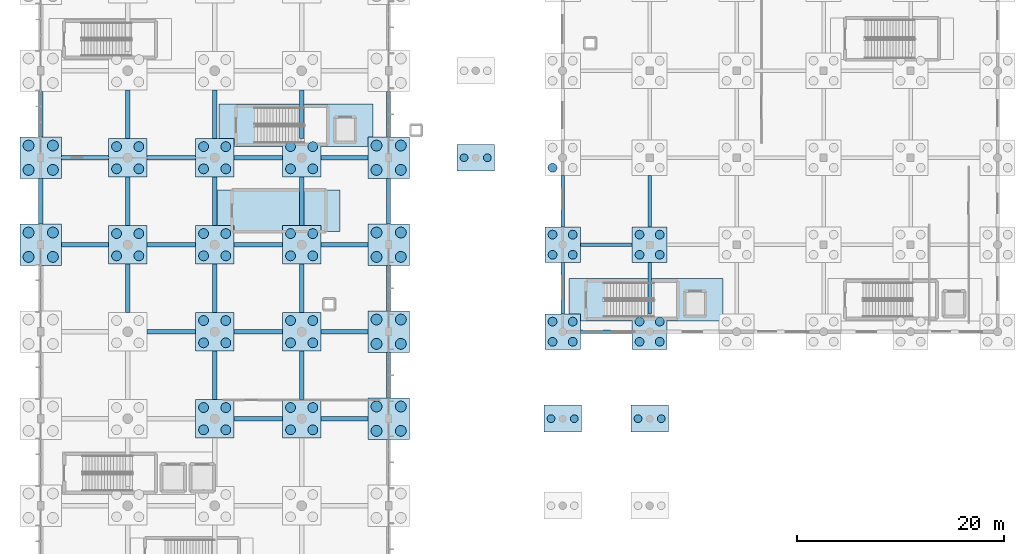
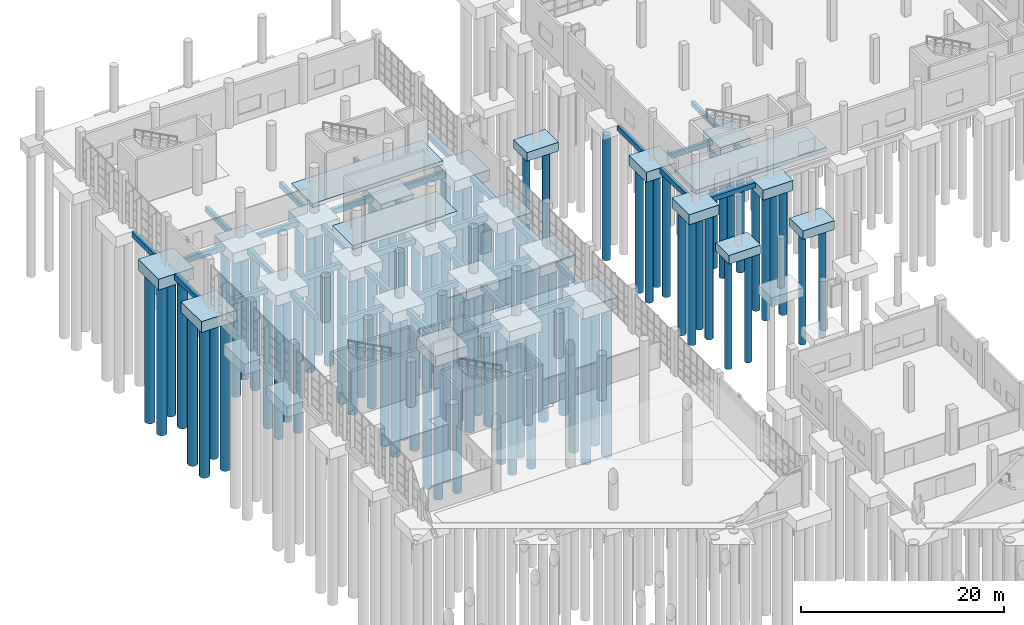
# One storey, part 5 of 83: 87 piles, 62 footings.
"""IFC4 building model written with IfcOpenShell, lengths in metres."""

from ifc_helpers import new_model, si_unit, direction, frame, origin, origin_2d, place, context, subcontext, project, spatial, rectangle, circle, extrude, material, material_profile, profile_set, type_object, element, save


model = new_model("IFC4")

# Units and contexts
model_context = context("Model", 3, precision=1e-05, world=origin(), true_north=direction((0.0, 1.0)))
body_context = subcontext(model_context, "Body", "Model", "MODEL_VIEW")
ifc_project = project(units=[si_unit("LENGTHUNIT", "METRE"), si_unit("AREAUNIT", "SQUARE_METRE"), si_unit("VOLUMEUNIT", "CUBIC_METRE"), si_unit("PLANEANGLEUNIT", "RADIAN"), si_unit("MASSUNIT", "GRAM", prefix="KILO"), si_unit("THERMODYNAMICTEMPERATUREUNIT", "KELVIN"), si_unit("POWERUNIT", "WATT")], contexts=[model_context])

# Site, building, storey
site_placement = place(None, origin())
site = spatial("IfcSite", under=ifc_project, at=site_placement, CompositionType="ELEMENT")
building_placement = place(site_placement, origin())
building = spatial("IfcBuilding", under=site, at=building_placement, Name="Mavoryth Pier Ferry Terminal", CompositionType="ELEMENT")
storey_placement = place(building_placement, origin())
storey = spatial("IfcBuildingStorey", under=building, at=storey_placement, Name="L00", CompositionType="ELEMENT", Elevation=0.0)

# Footings
ifc_material = material(Name="Concrete C35/45", Category="concrete")
footing_type_1 = type_object("IfcFootingType", Name="Cap-4P-3400x3400x1200", PredefinedType="PILE_CAP", material=ifc_material)
for number, where, z_axis, x_axis, name in (
    (1, (50.39990234375, 72.39990234375, -1.66015625), (0.0, 0.0, 1.0), (1.0, 0.0, 0.0), "Foundation FD-V2-1-1"),
    (2, (50.39990234375, 80.800048828125, -1.66015625), (0.0, 0.0, 1.0), (1.0, 0.0, 0.0), "Foundation FD-V2-1-2"),
    (3, (58.800048828125, 72.39990234375, -1.66015625), (0.0, 0.0, 1.0), (1.0, 0.0, 0.0), "Foundation FD-V2-2-1"),
    (4, (58.800048828125, 80.800048828125, -1.66015625), (0.0, 0.0, 1.0), (1.0, 0.0, 0.0), "Foundation FD-V2-2-2"),
):
    element("IfcFooting", number, at=place(storey_placement, frame(where, z_axis=z_axis, x_axis=x_axis)), inside=storey, type_object=footing_type_1, Name=name, PredefinedType="PILE_CAP", context=body_context, shape_type="SweptSolid", body=[
        extrude(rectangle(XDim=3.39990234375, YDim=3.39990234375, at=origin_2d()), origin(), (0.0, 0.0, 1.0), 1.199951171875),
    ])
footing_type_2 = type_object("IfcFootingType", Name="Cap-4P-3700x3700x1250", PredefinedType="PILE_CAP", material=ifc_material)
for number, where, z_axis, x_axis, name in (
    (5, (8.39990234375, 80.800048828125, -1.7099609375), (0.0, 0.0, 1.0), (1.0, 0.0, 0.0), "Foundation FD-V1-2-8"),
    (6, (8.39990234375, 89.199951171875, -1.7099609375), (0.0, 0.0, 1.0), (1.0, 0.0, 0.0), "Foundation FD-V1-2-9"),
    (7, (16.800048828125, 64.0, -1.7099609375), (0.0, 0.0, 1.0), (1.0, 0.0, 0.0), "Foundation FD-V1-3-6"),
    (8, (16.800048828125, 72.39990234375, -1.7099609375), (0.0, 0.0, 1.0), (1.0, 0.0, 0.0), "Foundation FD-V1-3-7"),
    (9, (16.800048828125, 80.800048828125, -1.7099609375), (0.0, 0.0, 1.0), (1.0, 0.0, 0.0), "Foundation FD-V1-3-8"),
    (10, (16.800048828125, 89.199951171875, -1.7099609375), (0.0, 0.0, 1.0), (1.0, 0.0, 0.0), "Foundation FD-V1-3-9"),
    (11, (25.199951171875, 64.0, -1.7099609375), (0.0, 0.0, 1.0), (1.0, 0.0, 0.0), "Foundation FD-V1-4-6"),
    (12, (25.199951171875, 72.39990234375, -1.7099609375), (0.0, 0.0, 1.0), (1.0, 0.0, 0.0), "Foundation FD-V1-4-7"),
    (13, (25.199951171875, 80.800048828125, -1.7099609375), (0.0, 0.0, 1.0), (1.0, 0.0, 0.0), "Foundation FD-V1-4-8"),
    (14, (25.199951171875, 89.199951171875, -1.7099609375), (0.0, 0.0, 1.0), (1.0, 0.0, 0.0), "Foundation FD-V1-4-9"),
):
    element("IfcFooting", number, at=place(storey_placement, frame(where, z_axis=z_axis, x_axis=x_axis)), inside=storey, type_object=footing_type_2, Name=name, PredefinedType="PILE_CAP", context=body_context, shape_type="SweptSolid", body=[
        extrude(rectangle(XDim=3.699951171875, YDim=3.699951171875, at=origin_2d()), origin(), (0.0, 0.0, 1.0), 1.25),
    ])
footing_type_3 = type_object("IfcFootingType", Name="Cap-4P-4000x4000x1300", PredefinedType="PILE_CAP", material=ifc_material)
for number, where, z_axis, x_axis, name in (
    (15, (0.0, 80.800048828125, -1.76025390625), (0.0, 0.0, 1.0), (1.0, 0.0, 0.0), "Foundation FD-V1-1-8"),
    (16, (0.0, 89.199951171875, -1.76025390625), (0.0, 0.0, 1.0), (1.0, 0.0, 0.0), "Foundation FD-V1-1-9"),
    (17, (33.60009765625, 64.0, -1.76025390625), (0.0, 0.0, 1.0), (1.0, 0.0, 0.0), "Foundation FD-V1-5-6"),
    (18, (33.60009765625, 72.39990234375, -1.76025390625), (0.0, 0.0, 1.0), (1.0, 0.0, 0.0), "Foundation FD-V1-5-7"),
    (19, (33.60009765625, 80.800048828125, -1.76025390625), (0.0, 0.0, 1.0), (1.0, 0.0, 0.0), "Foundation FD-V1-5-8"),
    (20, (33.60009765625, 89.199951171875, -1.76025390625), (0.0, 0.0, 1.0), (1.0, 0.0, 0.0), "Foundation FD-V1-5-9"),
):
    element("IfcFooting", number, at=place(storey_placement, frame(where, z_axis=z_axis, x_axis=x_axis)), inside=storey, type_object=footing_type_3, Name=name, PredefinedType="PILE_CAP", context=body_context, shape_type="SweptSolid", body=[
        extrude(rectangle(XDim=4.0, YDim=4.0, at=origin_2d()), origin(), (0.0, 0.0, 1.0), 1.300048828125),
    ])
footing_type_4 = type_object("IfcFootingType", Name="Pad-Bridge-3600x2600x1050", PredefinedType="PAD_FOOTING", material=ifc_material)
for number, where, z_axis, x_axis, name in (
    (21, (42.0, 89.199951171875, -1.51025390625), (0.0, 0.0, 1.0), (1.0, 0.0, 0.0), "Foundation FD-BR-01"),
    (22, (50.39990234375, 64.0, -1.51025390625), (0.0, 0.0, 1.0), (1.0, 0.0, 0.0), "Foundation FD-BR-05"),
    (23, (58.800048828125, 64.0, -1.51025390625), (0.0, 0.0, 1.0), (1.0, 0.0, 0.0), "Foundation FD-BR-08"),
):
    element("IfcFooting", number, at=place(storey_placement, frame(where, z_axis=z_axis, x_axis=x_axis)), inside=storey, type_object=footing_type_4, Name=name, PredefinedType="PAD_FOOTING", context=body_context, shape_type="SweptSolid", body=[
        extrude(rectangle(XDim=3.60009765625, YDim=2.60009765625, at=origin_2d()), origin(), (0.0, 0.0, 1.0), 1.050048828125),
    ])
footing_type_5 = type_object("IfcFootingType", Name="Pad-CoreMat-11840x4000x460", PredefinedType="PAD_FOOTING", material=ifc_material)
footing_1_placement = place(storey_placement, frame((23.0, 84.074951171875, -0.4599609375), z_axis=(0.0, 0.0, 1.0), x_axis=(1.0, 0.0, 0.0)))
element("IfcFooting", 24, at=footing_1_placement, inside=storey, type_object=footing_type_5, Name="Feature Stair Foundation Mat FS2", PredefinedType="PAD_FOOTING", context=body_context, shape_type="SweptSolid", body=[
    extrude(rectangle(XDim=11.840087890625, YDim=4.0, at=origin_2d()), origin(), (0.0, 0.0, 1.0), 0.4599609375),
])
footing_type_6 = type_object("IfcFootingType", Name="Pad-CoreMat-14840x4100x460", PredefinedType="PAD_FOOTING", material=ifc_material)
for number, where, z_axis, x_axis, name in (
    (25, (24.64990234375, 92.324951171875, -0.4599609375), (0.0, 0.0, 1.0), (1.0, 0.0, 0.0), "Core Foundation Mat C1B"),
    (26, (58.449951171875, 75.47509765625, -0.4599609375), (0.0, 0.0, 1.0), (1.0, 0.0, 0.0), "Core Foundation Mat C2A"),
):
    element("IfcFooting", number, at=place(storey_placement, frame(where, z_axis=z_axis, x_axis=x_axis)), inside=storey, type_object=footing_type_6, Name=name, PredefinedType="PAD_FOOTING", context=body_context, shape_type="SweptSolid", body=[
        extrude(rectangle(XDim=14.840087890625, YDim=4.10009765625, at=origin_2d()), origin(), (0.0, 0.0, 1.0), 0.4599609375),
    ])

# Piles
ifc_material_profile_1 = material_profile(ifc_material, circle(Radius=0.52490234375, at=origin_2d()), Name="PILE D1050", Category="concrete")
ifc_profile_set_1 = profile_set([ifc_material_profile_1], Name="Concrete C35/45 - PILE D1050")
pile_type_1 = type_object("IfcPileType", Name="Pile-Bored-D1050", PredefinedType="BORED", material=ifc_profile_set_1)
for number, where, z_axis, x_axis, name in (
    (27, (-1.175048828125, 79.625, -1.659912109375), (0.0, 0.0, -1.0), (1.0, 0.0, 0.0), "Bored Pile FD-V1-1-8-P1"),
    (28, (1.175048828125, 79.625, -1.659912109375), (0.0, 0.0, -1.0), (1.0, 0.0, 0.0), "Bored Pile FD-V1-1-8-P2"),
    (29, (-1.175048828125, 81.97509765625, -1.659912109375), (0.0, 0.0, -1.0), (1.0, 0.0, 0.0), "Bored Pile FD-V1-1-8-P3"),
    (30, (1.175048828125, 81.97509765625, -1.659912109375), (0.0, 0.0, -1.0), (1.0, 0.0, 0.0), "Bored Pile FD-V1-1-8-P4"),
    (31, (-1.175048828125, 88.02490234375, -1.659912109375), (0.0, 0.0, -1.0), (1.0, 0.0, 0.0), "Bored Pile FD-V1-1-9-P1"),
    (32, (1.175048828125, 88.02490234375, -1.659912109375), (0.0, 0.0, -1.0), (1.0, 0.0, 0.0), "Bored Pile FD-V1-1-9-P2"),
    (33, (-1.175048828125, 90.375, -1.659912109375), (0.0, 0.0, -1.0), (1.0, 0.0, 0.0), "Bored Pile FD-V1-1-9-P3"),
    (34, (1.175048828125, 90.375, -1.659912109375), (0.0, 0.0, -1.0), (1.0, 0.0, 0.0), "Bored Pile FD-V1-1-9-P4"),
    (35, (32.425048828125, 62.824951171875, -1.659912109375), (0.0, 0.0, -1.0), (1.0, 0.0, 0.0), "Bored Pile FD-V1-5-6-P1"),
    (36, (34.77490234375, 62.824951171875, -1.659912109375), (0.0, 0.0, -1.0), (1.0, 0.0, 0.0), "Bored Pile FD-V1-5-6-P2"),
    (37, (32.425048828125, 65.175048828125, -1.659912109375), (0.0, 0.0, -1.0), (1.0, 0.0, 0.0), "Bored Pile FD-V1-5-6-P3"),
    (38, (34.77490234375, 65.175048828125, -1.659912109375), (0.0, 0.0, -1.0), (1.0, 0.0, 0.0), "Bored Pile FD-V1-5-6-P4"),
    (39, (32.425048828125, 71.22509765625, -1.659912109375), (0.0, 0.0, -1.0), (1.0, 0.0, 0.0), "Bored Pile FD-V1-5-7-P1"),
    (40, (34.77490234375, 71.22509765625, -1.659912109375), (0.0, 0.0, -1.0), (1.0, 0.0, 0.0), "Bored Pile FD-V1-5-7-P2"),
    (41, (32.425048828125, 73.574951171875, -1.659912109375), (0.0, 0.0, -1.0), (1.0, 0.0, 0.0), "Bored Pile FD-V1-5-7-P3"),
    (42, (34.77490234375, 73.574951171875, -1.659912109375), (0.0, 0.0, -1.0), (1.0, 0.0, 0.0), "Bored Pile FD-V1-5-7-P4"),
    (43, (32.425048828125, 79.625, -1.659912109375), (0.0, 0.0, -1.0), (1.0, 0.0, 0.0), "Bored Pile FD-V1-5-8-P1"),
    (44, (34.77490234375, 79.625, -1.659912109375), (0.0, 0.0, -1.0), (1.0, 0.0, 0.0), "Bored Pile FD-V1-5-8-P2"),
    (45, (32.425048828125, 81.97509765625, -1.659912109375), (0.0, 0.0, -1.0), (1.0, 0.0, 0.0), "Bored Pile FD-V1-5-8-P3"),
    (46, (34.77490234375, 81.97509765625, -1.659912109375), (0.0, 0.0, -1.0), (1.0, 0.0, 0.0), "Bored Pile FD-V1-5-8-P4"),
    (47, (32.425048828125, 88.02490234375, -1.659912109375), (0.0, 0.0, -1.0), (1.0, 0.0, 0.0), "Bored Pile FD-V1-5-9-P1"),
    (48, (34.77490234375, 88.02490234375, -1.659912109375), (0.0, 0.0, -1.0), (1.0, 0.0, 0.0), "Bored Pile FD-V1-5-9-P2"),
    (49, (32.425048828125, 90.375, -1.659912109375), (0.0, 0.0, -1.0), (1.0, 0.0, 0.0), "Bored Pile FD-V1-5-9-P3"),
    (50, (34.77490234375, 90.375, -1.659912109375), (0.0, 0.0, -1.0), (1.0, 0.0, 0.0), "Bored Pile FD-V1-5-9-P4"),
):
    element("IfcPile", number, at=place(storey_placement, frame(where, z_axis=z_axis, x_axis=x_axis)), inside=storey, type_object=pile_type_1, Name=name, PredefinedType="BORED", context=body_context, shape_type="SweptSolid", body=[
        extrude(circle(Radius=0.52490234375, at=origin_2d()), origin(), (0.0, 0.0, 1.0), 18.0),
    ])
ifc_material_profile_2 = material_profile(ifc_material, circle(Radius=0.375, at=origin_2d()), Name="PILE D750", Category="concrete")
ifc_profile_set_2 = profile_set([ifc_material_profile_2], Name="Concrete C35/45 - PILE D750")
pile_type_2 = type_object("IfcPileType", Name="Pile-Bored-D750", PredefinedType="BORED", material=ifc_profile_set_2)
for number, where, z_axis, x_axis, name in (
    (51, (40.875, 89.199951171875, -1.409912109375), (0.0, 0.0, -1.0), (1.0, 0.0, 0.0), "Bored Pile FD-BR-01-P1"),
    (52, (43.125, 89.199951171875, -1.409912109375), (0.0, 0.0, -1.0), (1.0, 0.0, 0.0), "Bored Pile FD-BR-01-P2"),
    (53, (49.27490234375, 64.0, -1.409912109375), (0.0, 0.0, -1.0), (1.0, 0.0, 0.0), "Bored Pile FD-BR-05-P1"),
    (54, (51.52490234375, 64.0, -1.409912109375), (0.0, 0.0, -1.0), (1.0, 0.0, 0.0), "Bored Pile FD-BR-05-P2"),
    (55, (57.675048828125, 64.0, -1.409912109375), (0.0, 0.0, -1.0), (1.0, 0.0, 0.0), "Bored Pile FD-BR-08-P1"),
    (56, (59.925048828125, 64.0, -1.409912109375), (0.0, 0.0, -1.0), (1.0, 0.0, 0.0), "Bored Pile FD-BR-08-P2"),
):
    element("IfcPile", number, at=place(storey_placement, frame(where, z_axis=z_axis, x_axis=x_axis)), inside=storey, type_object=pile_type_2, Name=name, PredefinedType="BORED", context=body_context, shape_type="SweptSolid", body=[
        extrude(circle(Radius=0.375, at=origin_2d()), origin(), (0.0, 0.0, 1.0), 13.5),
    ])
ifc_material_profile_3 = material_profile(ifc_material, circle(Radius=0.425048828125, at=origin_2d()), Name="PILE D850", Category="concrete")
ifc_profile_set_3 = profile_set([ifc_material_profile_3], Name="Concrete C35/45 - PILE D850")
pile_type_3 = type_object("IfcPileType", Name="Pile-Bored-D850", PredefinedType="BORED", material=ifc_profile_set_3)
for number, where, z_axis, x_axis, name in (
    (57, (49.425048828125, 71.425048828125, -1.56005859375), (0.0, 0.0, -1.0), (1.0, 0.0, 0.0), "Bored Pile FD-V2-1-1-P1"),
    (58, (51.375, 71.425048828125, -1.56005859375), (0.0, 0.0, -1.0), (1.0, 0.0, 0.0), "Bored Pile FD-V2-1-1-P2"),
    (59, (49.425048828125, 73.375, -1.56005859375), (0.0, 0.0, -1.0), (1.0, 0.0, 0.0), "Bored Pile FD-V2-1-1-P3"),
    (60, (51.375, 73.375, -1.56005859375), (0.0, 0.0, -1.0), (1.0, 0.0, 0.0), "Bored Pile FD-V2-1-1-P4"),
    (61, (49.425048828125, 79.824951171875, -1.56005859375), (0.0, 0.0, -1.0), (1.0, 0.0, 0.0), "Bored Pile FD-V2-1-2-P1"),
    (62, (51.375, 79.824951171875, -1.56005859375), (0.0, 0.0, -1.0), (1.0, 0.0, 0.0), "Bored Pile FD-V2-1-2-P2"),
    (63, (49.425048828125, 81.77490234375, -1.56005859375), (0.0, 0.0, -1.0), (1.0, 0.0, 0.0), "Bored Pile FD-V2-1-2-P3"),
    (64, (51.375, 81.77490234375, -1.56005859375), (0.0, 0.0, -1.0), (1.0, 0.0, 0.0), "Bored Pile FD-V2-1-2-P4"),
    (65, (49.425048828125, 88.22509765625, -1.56005859375), (0.0, 0.0, -1.0), (1.0, 0.0, 0.0), "Bored Pile FD-V2-1-3-P1"),
    (66, (57.824951171875, 71.425048828125, -1.56005859375), (0.0, 0.0, -1.0), (1.0, 0.0, 0.0), "Bored Pile FD-V2-2-1-P1"),
    (67, (59.77490234375, 71.425048828125, -1.56005859375), (0.0, 0.0, -1.0), (1.0, 0.0, 0.0), "Bored Pile FD-V2-2-1-P2"),
    (68, (57.824951171875, 73.375, -1.56005859375), (0.0, 0.0, -1.0), (1.0, 0.0, 0.0), "Bored Pile FD-V2-2-1-P3"),
    (69, (59.77490234375, 73.375, -1.56005859375), (0.0, 0.0, -1.0), (1.0, 0.0, 0.0), "Bored Pile FD-V2-2-1-P4"),
    (70, (57.824951171875, 79.824951171875, -1.56005859375), (0.0, 0.0, -1.0), (1.0, 0.0, 0.0), "Bored Pile FD-V2-2-2-P1"),
    (71, (59.77490234375, 79.824951171875, -1.56005859375), (0.0, 0.0, -1.0), (1.0, 0.0, 0.0), "Bored Pile FD-V2-2-2-P2"),
    (72, (57.824951171875, 81.77490234375, -1.56005859375), (0.0, 0.0, -1.0), (1.0, 0.0, 0.0), "Bored Pile FD-V2-2-2-P3"),
    (73, (59.77490234375, 81.77490234375, -1.56005859375), (0.0, 0.0, -1.0), (1.0, 0.0, 0.0), "Bored Pile FD-V2-2-2-P4"),
):
    element("IfcPile", number, at=place(storey_placement, frame(where, z_axis=z_axis, x_axis=x_axis)), inside=storey, type_object=pile_type_3, Name=name, PredefinedType="BORED", context=body_context, shape_type="SweptSolid", body=[
        extrude(circle(Radius=0.425048828125, at=origin_2d()), origin(), (0.0, 0.0, 1.0), 15.0),
    ])
ifc_material_profile_4 = material_profile(ifc_material, circle(Radius=0.47509765625, at=origin_2d()), Name="PILE D950", Category="concrete")
ifc_profile_set_4 = profile_set([ifc_material_profile_4], Name="Concrete C35/45 - PILE D950")
pile_type_4 = type_object("IfcPileType", Name="Pile-Bored-D950", PredefinedType="BORED", material=ifc_profile_set_4)
for number, where, z_axis, x_axis, name in (
    (74, (7.324951171875, 79.72509765625, -1.610107421875), (0.0, 0.0, -1.0), (1.0, 0.0, 0.0), "Bored Pile FD-V1-2-8-P1"),
    (75, (9.47509765625, 79.72509765625, -1.610107421875), (0.0, 0.0, -1.0), (1.0, 0.0, 0.0), "Bored Pile FD-V1-2-8-P2"),
    (76, (7.324951171875, 81.875, -1.610107421875), (0.0, 0.0, -1.0), (1.0, 0.0, 0.0), "Bored Pile FD-V1-2-8-P3"),
    (77, (9.47509765625, 81.875, -1.610107421875), (0.0, 0.0, -1.0), (1.0, 0.0, 0.0), "Bored Pile FD-V1-2-8-P4"),
    (78, (7.324951171875, 88.125, -1.610107421875), (0.0, 0.0, -1.0), (1.0, 0.0, 0.0), "Bored Pile FD-V1-2-9-P1"),
    (79, (9.47509765625, 88.125, -1.610107421875), (0.0, 0.0, -1.0), (1.0, 0.0, 0.0), "Bored Pile FD-V1-2-9-P2"),
    (80, (7.324951171875, 90.27490234375, -1.610107421875), (0.0, 0.0, -1.0), (1.0, 0.0, 0.0), "Bored Pile FD-V1-2-9-P3"),
    (81, (9.47509765625, 90.27490234375, -1.610107421875), (0.0, 0.0, -1.0), (1.0, 0.0, 0.0), "Bored Pile FD-V1-2-9-P4"),
    (82, (15.72509765625, 62.925048828125, -1.610107421875), (0.0, 0.0, -1.0), (1.0, 0.0, 0.0), "Bored Pile FD-V1-3-6-P1"),
    (83, (17.875, 62.925048828125, -1.610107421875), (0.0, 0.0, -1.0), (1.0, 0.0, 0.0), "Bored Pile FD-V1-3-6-P2"),
    (84, (15.72509765625, 65.074951171875, -1.610107421875), (0.0, 0.0, -1.0), (1.0, 0.0, 0.0), "Bored Pile FD-V1-3-6-P3"),
    (85, (17.875, 65.074951171875, -1.610107421875), (0.0, 0.0, -1.0), (1.0, 0.0, 0.0), "Bored Pile FD-V1-3-6-P4"),
    (86, (15.72509765625, 71.324951171875, -1.610107421875), (0.0, 0.0, -1.0), (1.0, 0.0, 0.0), "Bored Pile FD-V1-3-7-P1"),
    (87, (17.875, 71.324951171875, -1.610107421875), (0.0, 0.0, -1.0), (1.0, 0.0, 0.0), "Bored Pile FD-V1-3-7-P2"),
    (88, (15.72509765625, 73.47509765625, -1.610107421875), (0.0, 0.0, -1.0), (1.0, 0.0, 0.0), "Bored Pile FD-V1-3-7-P3"),
    (89, (17.875, 73.47509765625, -1.610107421875), (0.0, 0.0, -1.0), (1.0, 0.0, 0.0), "Bored Pile FD-V1-3-7-P4"),
    (90, (15.72509765625, 79.72509765625, -1.610107421875), (0.0, 0.0, -1.0), (1.0, 0.0, 0.0), "Bored Pile FD-V1-3-8-P1"),
    (91, (17.875, 79.72509765625, -1.610107421875), (0.0, 0.0, -1.0), (1.0, 0.0, 0.0), "Bored Pile FD-V1-3-8-P2"),
    (92, (15.72509765625, 81.875, -1.610107421875), (0.0, 0.0, -1.0), (1.0, 0.0, 0.0), "Bored Pile FD-V1-3-8-P3"),
    (93, (17.875, 81.875, -1.610107421875), (0.0, 0.0, -1.0), (1.0, 0.0, 0.0), "Bored Pile FD-V1-3-8-P4"),
    (94, (15.72509765625, 88.125, -1.610107421875), (0.0, 0.0, -1.0), (1.0, 0.0, 0.0), "Bored Pile FD-V1-3-9-P1"),
    (95, (17.875, 88.125, -1.610107421875), (0.0, 0.0, -1.0), (1.0, 0.0, 0.0), "Bored Pile FD-V1-3-9-P2"),
    (96, (15.72509765625, 90.27490234375, -1.610107421875), (0.0, 0.0, -1.0), (1.0, 0.0, 0.0), "Bored Pile FD-V1-3-9-P3"),
    (97, (17.875, 90.27490234375, -1.610107421875), (0.0, 0.0, -1.0), (1.0, 0.0, 0.0), "Bored Pile FD-V1-3-9-P4"),
    (98, (24.125, 62.925048828125, -1.610107421875), (0.0, 0.0, -1.0), (1.0, 0.0, 0.0), "Bored Pile FD-V1-4-6-P1"),
    (99, (26.27490234375, 62.925048828125, -1.610107421875), (0.0, 0.0, -1.0), (1.0, 0.0, 0.0), "Bored Pile FD-V1-4-6-P2"),
    (100, (24.125, 65.074951171875, -1.610107421875), (0.0, 0.0, -1.0), (1.0, 0.0, 0.0), "Bored Pile FD-V1-4-6-P3"),
    (101, (26.27490234375, 65.074951171875, -1.610107421875), (0.0, 0.0, -1.0), (1.0, 0.0, 0.0), "Bored Pile FD-V1-4-6-P4"),
    (102, (24.125, 71.324951171875, -1.610107421875), (0.0, 0.0, -1.0), (1.0, 0.0, 0.0), "Bored Pile FD-V1-4-7-P1"),
    (103, (26.27490234375, 71.324951171875, -1.610107421875), (0.0, 0.0, -1.0), (1.0, 0.0, 0.0), "Bored Pile FD-V1-4-7-P2"),
    (104, (24.125, 73.47509765625, -1.610107421875), (0.0, 0.0, -1.0), (1.0, 0.0, 0.0), "Bored Pile FD-V1-4-7-P3"),
    (105, (26.27490234375, 73.47509765625, -1.610107421875), (0.0, 0.0, -1.0), (1.0, 0.0, 0.0), "Bored Pile FD-V1-4-7-P4"),
    (106, (24.125, 79.72509765625, -1.610107421875), (0.0, 0.0, -1.0), (1.0, 0.0, 0.0), "Bored Pile FD-V1-4-8-P1"),
    (107, (26.27490234375, 79.72509765625, -1.610107421875), (0.0, 0.0, -1.0), (1.0, 0.0, 0.0), "Bored Pile FD-V1-4-8-P2"),
    (108, (24.125, 81.875, -1.610107421875), (0.0, 0.0, -1.0), (1.0, 0.0, 0.0), "Bored Pile FD-V1-4-8-P3"),
    (109, (26.27490234375, 81.875, -1.610107421875), (0.0, 0.0, -1.0), (1.0, 0.0, 0.0), "Bored Pile FD-V1-4-8-P4"),
    (110, (24.125, 88.125, -1.610107421875), (0.0, 0.0, -1.0), (1.0, 0.0, 0.0), "Bored Pile FD-V1-4-9-P1"),
    (111, (26.27490234375, 88.125, -1.610107421875), (0.0, 0.0, -1.0), (1.0, 0.0, 0.0), "Bored Pile FD-V1-4-9-P2"),
    (112, (24.125, 90.27490234375, -1.610107421875), (0.0, 0.0, -1.0), (1.0, 0.0, 0.0), "Bored Pile FD-V1-4-9-P3"),
    (113, (26.27490234375, 90.27490234375, -1.610107421875), (0.0, 0.0, -1.0), (1.0, 0.0, 0.0), "Bored Pile FD-V1-4-9-P4"),
):
    element("IfcPile", number, at=place(storey_placement, frame(where, z_axis=z_axis, x_axis=x_axis)), inside=storey, type_object=pile_type_4, Name=name, PredefinedType="BORED", context=body_context, shape_type="SweptSolid", body=[
        extrude(circle(Radius=0.47509765625, at=origin_2d()), origin(), (0.0, 0.0, 1.0), 16.5),
    ])

# Footings
ifc_material_profile_5 = material_profile(ifc_material, rectangle(XDim=0.35009765625, YDim=0.60009765625, at=origin_2d()), Name="RC 350x600", Category="concrete")
ifc_profile_set_5 = profile_set([ifc_material_profile_5], Name="Concrete C35/45 - RC 350x600")
footing_type_7 = type_object("IfcFootingType", Name="TieBeam-RC-350x600", PredefinedType="FOOTING_BEAM", material=ifc_profile_set_5)
for number, where, z_axis, x_axis, name in (
    (114, (52.10009765625, 72.39990234375, -0.760009765625), (1.0, 0.0, 0.0), (0.0, 1.0, 0.0), "Footing Tie Beam 126"),
    (115, (52.10009765625, 80.800048828125, -0.760009765625), (1.0, 0.0, 0.0), (0.0, 1.0, 0.0), "Footing Tie Beam 131"),
    (116, (50.39990234375, 74.10009765625, -0.760009765625), (0.0, 1.0, 0.0), (-1.0, 0.0, 0.0), "Footing Tie Beam 156"),
    (117, (50.39990234375, 82.5, -0.760009765625), (0.0, 1.0, 0.0), (-1.0, 0.0, 0.0), "Footing Tie Beam 157"),
    (118, (58.800048828125, 74.10009765625, -0.760009765625), (0.0, 1.0, 0.0), (-1.0, 0.0, 0.0), "Footing Tie Beam 161"),
    (119, (58.800048828125, 82.5, -0.760009765625), (0.0, 1.0, 0.0), (-1.0, 0.0, 0.0), "Footing Tie Beam 162"),
):
    element("IfcFooting", number, at=place(storey_placement, frame(where, z_axis=z_axis, x_axis=x_axis)), inside=storey, type_object=footing_type_7, Name=name, PredefinedType="FOOTING_BEAM", context=body_context, shape_type="SweptSolid", body=[
        extrude(rectangle(XDim=0.35009765625, YDim=0.60009765625, at=origin_2d()), origin(), (0.0, 0.0, 1.0), 5.0),
    ])
ifc_material_profile_6 = material_profile(ifc_material, rectangle(XDim=0.39990234375, YDim=0.64990234375, at=origin_2d()), Name="RC 400x650", Category="concrete")
ifc_profile_set_6 = profile_set([ifc_material_profile_6], Name="Concrete C35/45 - RC 400x650")
footing_type_8 = type_object("IfcFootingType", Name="TieBeam-RC-400x650", PredefinedType="FOOTING_BEAM", material=ifc_profile_set_6)
footing_2_placement = place(storey_placement, frame((18.64990234375, 64.0, -0.784912109375), z_axis=(1.0, 0.0, 0.0), x_axis=(0.0, 1.0, 0.0)))
element("IfcFooting", 120, at=footing_2_placement, inside=storey, type_object=footing_type_8, Name="Footing Tie Beam 45", PredefinedType="FOOTING_BEAM", context=body_context, shape_type="SweptSolid", body=[
    extrude(rectangle(XDim=0.39990234375, YDim=0.64990234375, at=origin_2d()), origin(), (0.0, 0.0, 1.0), 4.7001953125),
])
footing_3_placement = place(storey_placement, frame((27.050048828125, 64.0, -0.784912109375), z_axis=(1.0, 0.0, 0.0), x_axis=(0.0, 1.0, 0.0)))
element("IfcFooting", 121, at=footing_3_placement, inside=storey, type_object=footing_type_8, Name="Footing Tie Beam 46", PredefinedType="FOOTING_BEAM", context=body_context, shape_type="SweptSolid", body=[
    extrude(rectangle(XDim=0.39990234375, YDim=0.64990234375, at=origin_2d()), origin(), (0.0, 0.0, 1.0), 4.550048828125),
])
footing_4_placement = place(storey_placement, frame((10.25, 72.39990234375, -0.784912109375), z_axis=(1.0, 0.0, 0.0), x_axis=(0.0, 1.0, 0.0)))
element("IfcFooting", 122, at=footing_4_placement, inside=storey, type_object=footing_type_8, Name="Footing Tie Beam 48", PredefinedType="FOOTING_BEAM", context=body_context, shape_type="SweptSolid", body=[
    extrude(rectangle(XDim=0.39990234375, YDim=0.64990234375, at=origin_2d()), origin(), (0.0, 0.0, 1.0), 4.699951171875),
])
footing_5_placement = place(storey_placement, frame((18.64990234375, 72.39990234375, -0.784912109375), z_axis=(1.0, 0.0, 0.0), x_axis=(0.0, 1.0, 0.0)))
element("IfcFooting", 123, at=footing_5_placement, inside=storey, type_object=footing_type_8, Name="Footing Tie Beam 49", PredefinedType="FOOTING_BEAM", context=body_context, shape_type="SweptSolid", body=[
    extrude(rectangle(XDim=0.39990234375, YDim=0.64990234375, at=origin_2d()), origin(), (0.0, 0.0, 1.0), 4.7001953125),
])
for number, where, z_axis, x_axis, name in (
    (124, (27.050048828125, 72.39990234375, -0.784912109375), (1.0, 0.0, 0.0), (0.0, 1.0, 0.0), "Footing Tie Beam 50"),
    (125, (2.0, 80.800048828125, -0.784912109375), (1.0, 0.0, 0.0), (0.0, 1.0, 0.0), "Footing Tie Beam 51"),
):
    element("IfcFooting", number, at=place(storey_placement, frame(where, z_axis=z_axis, x_axis=x_axis)), inside=storey, type_object=footing_type_8, Name=name, PredefinedType="FOOTING_BEAM", context=body_context, shape_type="SweptSolid", body=[
        extrude(rectangle(XDim=0.39990234375, YDim=0.64990234375, at=origin_2d()), origin(), (0.0, 0.0, 1.0), 4.550048828125),
    ])
footing_6_placement = place(storey_placement, frame((10.25, 80.800048828125, -0.784912109375), z_axis=(1.0, 0.0, 0.0), x_axis=(0.0, 1.0, 0.0)))
element("IfcFooting", 126, at=footing_6_placement, inside=storey, type_object=footing_type_8, Name="Footing Tie Beam 52", PredefinedType="FOOTING_BEAM", context=body_context, shape_type="SweptSolid", body=[
    extrude(rectangle(XDim=0.39990234375, YDim=0.64990234375, at=origin_2d()), origin(), (0.0, 0.0, 1.0), 4.699951171875),
])
footing_7_placement = place(storey_placement, frame((18.64990234375, 80.800048828125, -0.784912109375), z_axis=(1.0, 0.0, 0.0), x_axis=(0.0, 1.0, 0.0)))
element("IfcFooting", 127, at=footing_7_placement, inside=storey, type_object=footing_type_8, Name="Footing Tie Beam 53", PredefinedType="FOOTING_BEAM", context=body_context, shape_type="SweptSolid", body=[
    extrude(rectangle(XDim=0.39990234375, YDim=0.64990234375, at=origin_2d()), origin(), (0.0, 0.0, 1.0), 4.7001953125),
])
for number, where, z_axis, x_axis, name in (
    (128, (27.050048828125, 80.800048828125, -0.784912109375), (1.0, 0.0, 0.0), (0.0, 1.0, 0.0), "Footing Tie Beam 54"),
    (129, (2.0, 89.199951171875, -0.784912109375), (1.0, 0.0, 0.0), (0.0, 1.0, 0.0), "Footing Tie Beam 55"),
):
    element("IfcFooting", number, at=place(storey_placement, frame(where, z_axis=z_axis, x_axis=x_axis)), inside=storey, type_object=footing_type_8, Name=name, PredefinedType="FOOTING_BEAM", context=body_context, shape_type="SweptSolid", body=[
        extrude(rectangle(XDim=0.39990234375, YDim=0.64990234375, at=origin_2d()), origin(), (0.0, 0.0, 1.0), 4.550048828125),
    ])
footing_8_placement = place(storey_placement, frame((10.25, 89.199951171875, -0.784912109375), z_axis=(1.0, 0.0, 0.0), x_axis=(0.0, 1.0, 0.0)))
element("IfcFooting", 130, at=footing_8_placement, inside=storey, type_object=footing_type_8, Name="Footing Tie Beam 56", PredefinedType="FOOTING_BEAM", context=body_context, shape_type="SweptSolid", body=[
    extrude(rectangle(XDim=0.39990234375, YDim=0.64990234375, at=origin_2d()), origin(), (0.0, 0.0, 1.0), 4.699951171875),
])
footing_9_placement = place(storey_placement, frame((18.64990234375, 89.199951171875, -0.784912109375), z_axis=(1.0, 0.0, 0.0), x_axis=(0.0, 1.0, 0.0)))
element("IfcFooting", 131, at=footing_9_placement, inside=storey, type_object=footing_type_8, Name="Footing Tie Beam 57", PredefinedType="FOOTING_BEAM", context=body_context, shape_type="SweptSolid", body=[
    extrude(rectangle(XDim=0.39990234375, YDim=0.64990234375, at=origin_2d()), origin(), (0.0, 0.0, 1.0), 4.7001953125),
])
footing_10_placement = place(storey_placement, frame((27.050048828125, 89.199951171875, -0.784912109375), z_axis=(1.0, 0.0, 0.0), x_axis=(0.0, 1.0, 0.0)))
element("IfcFooting", 132, at=footing_10_placement, inside=storey, type_object=footing_type_8, Name="Footing Tie Beam 58", PredefinedType="FOOTING_BEAM", context=body_context, shape_type="SweptSolid", body=[
    extrude(rectangle(XDim=0.39990234375, YDim=0.64990234375, at=origin_2d()), origin(), (0.0, 0.0, 1.0), 4.550048828125),
])
footing_11_placement = place(storey_placement, frame((0.0, 82.800048828125, -0.784912109375), z_axis=(0.0, 1.0, 0.0), x_axis=(-1.0, 0.0, 0.0)))
element("IfcFooting", 133, at=footing_11_placement, inside=storey, type_object=footing_type_8, Name="Footing Tie Beam 78", PredefinedType="FOOTING_BEAM", context=body_context, shape_type="SweptSolid", body=[
    extrude(rectangle(XDim=0.39990234375, YDim=0.64990234375, at=origin_2d()), origin(), (0.0, 0.0, 1.0), 4.39990234375),
])
footing_12_placement = place(storey_placement, frame((0.0, 91.199951171875, -0.784912109375), z_axis=(0.0, 1.0, 0.0), x_axis=(-1.0, 0.0, 0.0)))
element("IfcFooting", 134, at=footing_12_placement, inside=storey, type_object=footing_type_8, Name="Footing Tie Beam 79", PredefinedType="FOOTING_BEAM", context=body_context, shape_type="SweptSolid", body=[
    extrude(rectangle(XDim=0.39990234375, YDim=0.64990234375, at=origin_2d()), origin(), (0.0, 0.0, 1.0), 4.400146484375),
])
footing_13_placement = place(storey_placement, frame((8.39990234375, 74.25, -0.784912109375), z_axis=(0.0, 1.0, 0.0), x_axis=(-1.0, 0.0, 0.0)))
element("IfcFooting", 135, at=footing_13_placement, inside=storey, type_object=footing_type_8, Name="Footing Tie Beam 88", PredefinedType="FOOTING_BEAM", context=body_context, shape_type="SweptSolid", body=[
    extrude(rectangle(XDim=0.39990234375, YDim=0.64990234375, at=origin_2d()), origin(), (0.0, 0.0, 1.0), 4.699951171875),
])
footing_14_placement = place(storey_placement, frame((8.39990234375, 82.64990234375, -0.784912109375), z_axis=(0.0, 1.0, 0.0), x_axis=(-1.0, 0.0, 0.0)))
element("IfcFooting", 136, at=footing_14_placement, inside=storey, type_object=footing_type_8, Name="Footing Tie Beam 89", PredefinedType="FOOTING_BEAM", context=body_context, shape_type="SweptSolid", body=[
    extrude(rectangle(XDim=0.39990234375, YDim=0.64990234375, at=origin_2d()), origin(), (0.0, 0.0, 1.0), 4.7001953125),
])
for number, where, z_axis, x_axis, name in (
    (137, (8.39990234375, 91.050048828125, -0.784912109375), (0.0, 1.0, 0.0), (-1.0, 0.0, 0.0), "Footing Tie Beam 90"),
    (138, (16.800048828125, 65.85009765625, -0.784912109375), (0.0, 1.0, 0.0), (-1.0, 0.0, 0.0), "Footing Tie Beam 98"),
    (139, (16.800048828125, 74.25, -0.784912109375), (0.0, 1.0, 0.0), (-1.0, 0.0, 0.0), "Footing Tie Beam 99"),
):
    element("IfcFooting", number, at=place(storey_placement, frame(where, z_axis=z_axis, x_axis=x_axis)), inside=storey, type_object=footing_type_8, Name=name, PredefinedType="FOOTING_BEAM", context=body_context, shape_type="SweptSolid", body=[
        extrude(rectangle(XDim=0.39990234375, YDim=0.64990234375, at=origin_2d()), origin(), (0.0, 0.0, 1.0), 4.699951171875),
    ])
footing_15_placement = place(storey_placement, frame((16.800048828125, 82.64990234375, -0.784912109375), z_axis=(0.0, 1.0, 0.0), x_axis=(-1.0, 0.0, 0.0)))
element("IfcFooting", 140, at=footing_15_placement, inside=storey, type_object=footing_type_8, Name="Footing Tie Beam 100", PredefinedType="FOOTING_BEAM", context=body_context, shape_type="SweptSolid", body=[
    extrude(rectangle(XDim=0.39990234375, YDim=0.64990234375, at=origin_2d()), origin(), (0.0, 0.0, 1.0), 4.7001953125),
])
for number, where, z_axis, x_axis, name in (
    (141, (16.800048828125, 91.050048828125, -0.784912109375), (0.0, 1.0, 0.0), (-1.0, 0.0, 0.0), "Footing Tie Beam 101"),
    (142, (25.199951171875, 65.85009765625, -0.784912109375), (0.0, 1.0, 0.0), (-1.0, 0.0, 0.0), "Footing Tie Beam 109"),
    (143, (25.199951171875, 74.25, -0.784912109375), (0.0, 1.0, 0.0), (-1.0, 0.0, 0.0), "Footing Tie Beam 110"),
):
    element("IfcFooting", number, at=place(storey_placement, frame(where, z_axis=z_axis, x_axis=x_axis)), inside=storey, type_object=footing_type_8, Name=name, PredefinedType="FOOTING_BEAM", context=body_context, shape_type="SweptSolid", body=[
        extrude(rectangle(XDim=0.39990234375, YDim=0.64990234375, at=origin_2d()), origin(), (0.0, 0.0, 1.0), 4.699951171875),
    ])
footing_16_placement = place(storey_placement, frame((25.199951171875, 82.64990234375, -0.784912109375), z_axis=(0.0, 1.0, 0.0), x_axis=(-1.0, 0.0, 0.0)))
element("IfcFooting", 144, at=footing_16_placement, inside=storey, type_object=footing_type_8, Name="Footing Tie Beam 111", PredefinedType="FOOTING_BEAM", context=body_context, shape_type="SweptSolid", body=[
    extrude(rectangle(XDim=0.39990234375, YDim=0.64990234375, at=origin_2d()), origin(), (0.0, 0.0, 1.0), 4.7001953125),
])
footing_17_placement = place(storey_placement, frame((25.199951171875, 91.050048828125, -0.784912109375), z_axis=(0.0, 1.0, 0.0), x_axis=(-1.0, 0.0, 0.0)))
element("IfcFooting", 145, at=footing_17_placement, inside=storey, type_object=footing_type_8, Name="Footing Tie Beam 112", PredefinedType="FOOTING_BEAM", context=body_context, shape_type="SweptSolid", body=[
    extrude(rectangle(XDim=0.39990234375, YDim=0.64990234375, at=origin_2d()), origin(), (0.0, 0.0, 1.0), 4.699951171875),
])
footing_18_placement = place(storey_placement, frame((33.60009765625, 66.0, -0.784912109375), z_axis=(0.0, 1.0, 0.0), x_axis=(-1.0, 0.0, 0.0)))
element("IfcFooting", 146, at=footing_18_placement, inside=storey, type_object=footing_type_8, Name="Footing Tie Beam 120", PredefinedType="FOOTING_BEAM", context=body_context, shape_type="SweptSolid", body=[
    extrude(rectangle(XDim=0.39990234375, YDim=0.64990234375, at=origin_2d()), origin(), (0.0, 0.0, 1.0), 4.39990234375),
])
footing_19_placement = place(storey_placement, frame((33.60009765625, 74.39990234375, -0.784912109375), z_axis=(0.0, 1.0, 0.0), x_axis=(-1.0, 0.0, 0.0)))
element("IfcFooting", 147, at=footing_19_placement, inside=storey, type_object=footing_type_8, Name="Footing Tie Beam 121", PredefinedType="FOOTING_BEAM", context=body_context, shape_type="SweptSolid", body=[
    extrude(rectangle(XDim=0.39990234375, YDim=0.64990234375, at=origin_2d()), origin(), (0.0, 0.0, 1.0), 4.400146484375),
])
footing_20_placement = place(storey_placement, frame((33.60009765625, 82.800048828125, -0.784912109375), z_axis=(0.0, 1.0, 0.0), x_axis=(-1.0, 0.0, 0.0)))
element("IfcFooting", 148, at=footing_20_placement, inside=storey, type_object=footing_type_8, Name="Footing Tie Beam 122", PredefinedType="FOOTING_BEAM", context=body_context, shape_type="SweptSolid", body=[
    extrude(rectangle(XDim=0.39990234375, YDim=0.64990234375, at=origin_2d()), origin(), (0.0, 0.0, 1.0), 4.39990234375),
])
footing_21_placement = place(storey_placement, frame((33.60009765625, 91.199951171875, -0.784912109375), z_axis=(0.0, 1.0, 0.0), x_axis=(-1.0, 0.0, 0.0)))
element("IfcFooting", 149, at=footing_21_placement, inside=storey, type_object=footing_type_8, Name="Footing Tie Beam 123", PredefinedType="FOOTING_BEAM", context=body_context, shape_type="SweptSolid", body=[
    extrude(rectangle(XDim=0.39990234375, YDim=0.64990234375, at=origin_2d()), origin(), (0.0, 0.0, 1.0), 4.400146484375),
])

save(model, "model.ifc")
